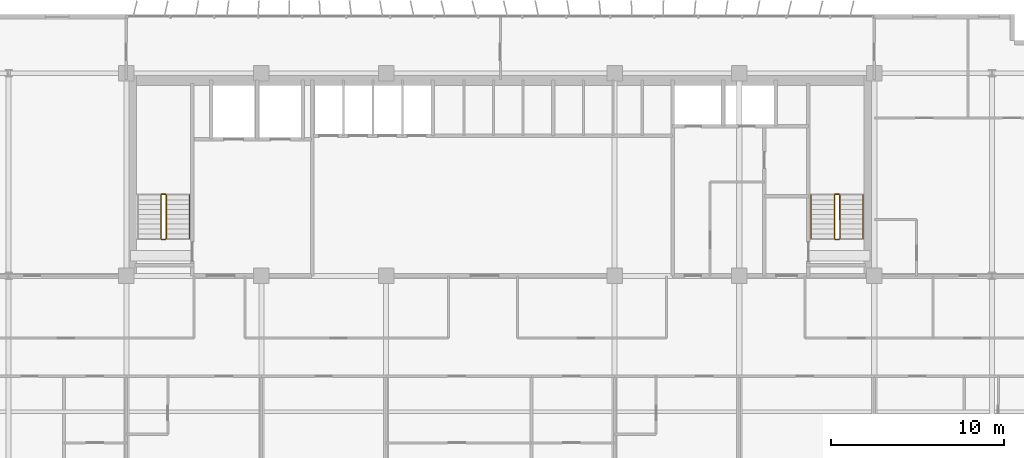
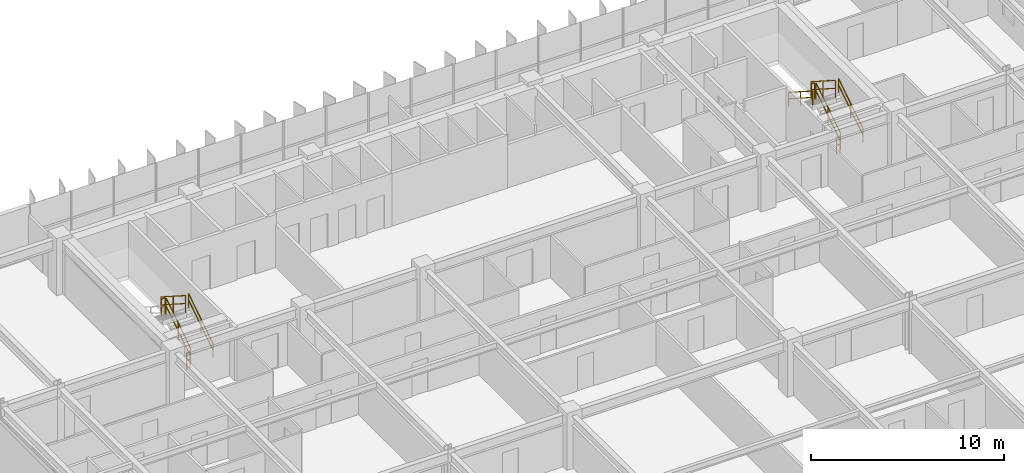
# One storey, part 21 of 22: 11 railings.
"""IFC4 building model written with IfcOpenShell, lengths in metres."""

import ifcopenshell
import ifcopenshell.guid

model = None  # the IFC model being written
_history = None  # IfcOwnerHistory: only IFC2X3 demands one
_inside = {}  # id of a spatial element -> (the spatial element, [elements in it])
_under = {}  # id of a project, library or spatial element -> (it, [spatial elements below it])
_declared = {}  # id of a project -> (the project, [libraries it declares])
_typed = {}  # id of a type object -> (the type object, [elements of that type])
_made_of = {}  # id of a material, layer set ... -> (it, [elements and type objects made of it])


def new_model(schema):
    """Start an empty IFC model of exactly this schema.

    Asked for "IFC4X3", IfcOpenShell would pick the latest addendum, in which some entities
    have other attributes; the version numbers below select the first issue.
    IFC2X3 requires an IfcOwnerHistory on every rooted entity: one is made here for all.
    """
    global model, _history
    if schema == "IFC4X3":
        model = ifcopenshell.file(schema_version=(4, 3, 0, 0))
    else:
        model = ifcopenshell.file(schema=schema)
    _inside.clear()
    _under.clear()
    _declared.clear()
    _typed.clear()
    _made_of.clear()
    _history = None
    if model.schema == "IFC2X3":
        org = make("IfcOrganization", Name="unknown")
        user = make(
            "IfcPersonAndOrganization",
            ThePerson=make("IfcPerson", FamilyName="unknown"),
            TheOrganization=org,
        )
        app = make(
            "IfcApplication",
            ApplicationDeveloper=org,
            Version="unknown",
            ApplicationFullName="unknown",
            ApplicationIdentifier="unknown",
        )
        _history = make(
            "IfcOwnerHistory",
            OwningUser=user,
            OwningApplication=app,
            ChangeAction="ADDED",
            CreationDate=0,
        )
    return model


def make(cls, **values):
    """One entity of the class cls with the attributes given. An attribute that is None is left unset."""
    return model.create_entity(
        cls, **{name: value for name, value in values.items() if value is not None}
    )


def rooted(cls, **values):
    """An entity with a GlobalId (a new one), such as an element, a storey or a relation."""
    return make(cls, GlobalId=ifcopenshell.guid.new(), OwnerHistory=_history, **values)


def si_unit(unit_type, name, prefix=None):
    """IfcSIUnit, for example si_unit("LENGTHUNIT", "METRE", prefix="MILLI")."""
    return make("IfcSIUnit", UnitType=unit_type, Prefix=prefix, Name=name)


def assignment(units):
    """IfcUnitAssignment: the units of a project."""
    return None if units is None else make("IfcUnitAssignment", Units=units)


def point(xyz):
    """IfcCartesianPoint."""
    return None if xyz is None else make("IfcCartesianPoint", Coordinates=xyz)


def direction(xyz):
    """IfcDirection."""
    return None if xyz is None else make("IfcDirection", DirectionRatios=xyz)


def frame(location, z_axis=None, x_axis=None):
    """IfcAxis2Placement3D, a coordinate frame: its origin and axes. An axis left out is left unset."""
    return make(
        "IfcAxis2Placement3D",
        Location=point(location),
        Axis=direction(z_axis),
        RefDirection=direction(x_axis),
    )


def frame_2d(location, x_axis=None):
    """IfcAxis2Placement2D, a coordinate frame in the plane: its origin and x axis."""
    return make(
        "IfcAxis2Placement2D", Location=point(location), RefDirection=direction(x_axis)
    )


def origin():
    """The frame at (0, 0, 0) with its axes left unset."""
    return frame((0.0, 0.0, 0.0))


def origin_2d():
    """The frame at (0, 0) in the plane with its x axis left unset."""
    return frame_2d((0.0, 0.0))


def place(relative_to, where):
    """IfcLocalPlacement: puts the frame where relative to a parent placement (None: the world)."""
    return make(
        "IfcLocalPlacement", PlacementRelTo=relative_to, RelativePlacement=where
    )


def context(
    kind, dimensions, precision=None, world=None, true_north=None, identifier=None
):
    """IfcGeometricRepresentationContext, for example the 3D "Model" context."""
    return make(
        "IfcGeometricRepresentationContext",
        ContextIdentifier=identifier,
        ContextType=kind,
        CoordinateSpaceDimension=dimensions,
        Precision=precision,
        WorldCoordinateSystem=world,
        TrueNorth=true_north,
    )


def subcontext(parent, identifier, kind, view, scale=None):
    """IfcGeometricRepresentationSubContext, for example "Body" below "Model"."""
    return make(
        "IfcGeometricRepresentationSubContext",
        ContextIdentifier=identifier,
        ContextType=kind,
        ParentContext=parent,
        TargetScale=scale,
        TargetView=view,
    )


def project(units=None, contexts=None):
    """IfcProject with its units and contexts."""
    return rooted(
        "IfcProject",
        Name="project",
        RepresentationContexts=contexts,
        UnitsInContext=assignment(units),
    )


def spatial(cls, under=None, at=None, **own):
    """A site, building, storey or space (cls), placed at a placement, below another one or the project."""
    s = rooted(cls, ObjectPlacement=at, **own)
    if under is not None:
        _under.setdefault(under.id(), (under, []))[1].append(s)
    return s


def profile(cls, at=None, kind="AREA", **sizes):
    """A parametric profile (cls). Its sizes go by their IFC names, for example OverallWidth=200.0."""
    return make(cls, ProfileType=kind, Position=at, **sizes)


def rectangle(**sizes):
    """IfcRectangleProfileDef."""
    return profile("IfcRectangleProfileDef", **sizes)


def extrude(swept, where, along, depth):
    """IfcExtrudedAreaSolid: the profile swept, set in the frame where, extruded along a direction by depth."""
    return make(
        "IfcExtrudedAreaSolid",
        SweptArea=swept,
        Position=where,
        ExtrudedDirection=direction(along),
        Depth=depth,
    )


def shape(context_of_items, identifier, shape_type, items):
    """IfcShapeRepresentation: the items that make up one representation, for example the "Body"."""
    return make(
        "IfcShapeRepresentation",
        ContextOfItems=context_of_items,
        RepresentationIdentifier=identifier,
        RepresentationType=shape_type,
        Items=items,
    )


def material(Name=None, Category=None):
    """IfcMaterial."""
    return make("IfcMaterial", Name=Name, Category=Category)


def made_of(thing, what):
    """Note that an element or type object is made of a material, layer set ...; save() writes the relation."""
    if what is not None:
        _made_of.setdefault(what.id(), (what, []))[1].append(thing)
    return thing


def type_object(cls, material=None, **own):
    """A type object (cls), such as IfcWallType, which elements share."""
    return made_of(rooted(cls, **own), material)


def element(
    cls,
    number,
    at=None,
    inside=None,
    cuts=None,
    type_object=None,
    material=None,
    context=None,
    identifier="Body",
    shape_type=None,
    held_by="IfcProductDefinitionShape",
    body=None,
    shapes=None,
    **own,
):
    """One element of the class cls, such as IfcWall. Its Tag is "e" and its number.

    at: its placement. inside: the storey or other place that contains it. cuts: it is an
    opening in that element (IfcRelVoidsElement). A single representation is given by context,
    identifier, shape_type and body (its items); several are given by shapes. held_by: the class
    of the entity that holds the representations. save() writes the other relations.
    """
    e = rooted(cls, Tag="e%d" % number, ObjectPlacement=at, **own)
    if body is not None:
        shapes = [shape(context, identifier, shape_type, body)]
    if shapes is not None:
        e.Representation = make(held_by, Representations=shapes)
    if inside is not None:
        _inside.setdefault(inside.id(), (inside, []))[1].append(e)
    if cuts is not None:
        rooted(
            "IfcRelVoidsElement", RelatingBuildingElement=cuts, RelatedOpeningElement=e
        )
    if type_object is not None:
        _typed.setdefault(type_object.id(), (type_object, []))[1].append(e)
    return made_of(e, material)


def aggregate(whole, parts):
    """IfcRelAggregates: a whole, such as a stair, and the parts it consists of."""
    return rooted("IfcRelAggregates", RelatingObject=whole, RelatedObjects=parts)


def save(model, path):
    """Write the relations noted so far, then the file.

    IfcRelAggregates (storeys below a building ...), IfcRelContainedInSpatialStructure (elements
    in a storey), IfcRelDefinesByType, IfcRelAssociatesMaterial and IfcRelDeclares: one each for
    every whole, place, type object, material and project.
    """
    for whole, parts in _under.values():
        aggregate(whole, parts)
    for where, things in _inside.values():
        rooted(
            "IfcRelContainedInSpatialStructure",
            RelatedElements=things,
            RelatingStructure=where,
        )
    for kind, things in _typed.values():
        rooted("IfcRelDefinesByType", RelatedObjects=things, RelatingType=kind)
    for what, things in _made_of.values():
        rooted("IfcRelAssociatesMaterial", RelatedObjects=things, RelatingMaterial=what)
    for by, libraries in _declared.values():
        rooted("IfcRelDeclares", RelatingContext=by, RelatedDefinitions=libraries)
    model.write(path)


model = new_model("IFC4")

# Units and contexts
model_context = context("Model", 3, precision=1e-05, world=origin(), true_north=direction((0.0, 1.0)))
body_context = subcontext(model_context, "Body", "Model", "MODEL_VIEW")
ifc_project = project(units=[si_unit("LENGTHUNIT", "METRE"), si_unit("AREAUNIT", "SQUARE_METRE"), si_unit("VOLUMEUNIT", "CUBIC_METRE"), si_unit("PLANEANGLEUNIT", "RADIAN"), si_unit("MASSUNIT", "GRAM", prefix="KILO")], contexts=[model_context])

# Site, building, storey
site_placement = place(None, origin())
site = spatial("IfcSite", under=ifc_project, at=site_placement, CompositionType="ELEMENT")
building_placement = place(site_placement, origin())
building = spatial("IfcBuilding", under=site, at=building_placement, Name="Trelvane Seafront Commons", CompositionType="ELEMENT")
storey_placement = place(building_placement, frame((0.0, 0.0, 52.300048828125)))
storey = spatial("IfcBuildingStorey", under=building, at=storey_placement, Name="L13", CompositionType="ELEMENT", Elevation=52.300048828125)

# Railings
ifc_material = material(Name="Stainless steel balustrade", Category="steel")
railing_type_1 = type_object("IfcRailingType", Name="ARCH-SRL-GUARD", PredefinedType="GUARDRAIL", material=ifc_material)
railing_1_placement = place(storey_placement, frame((17.89990234375, 35.550048828125, 0.179931640625)))
element("IfcRailing", 1, at=railing_1_placement, inside=storey, type_object=railing_type_1, Name="L13 ST-1 stair guard 1", PredefinedType="GUARDRAIL", context=body_context, shape_type="SweptSolid", body=[
    extrude(rectangle(XDim=0.048095703125, YDim=0.048095703125, at=origin_2d()), frame((0.0, 0.0, 1.076171875), z_axis=(0.0, 0.841162588446, 0.540782303519), x_axis=(-1.0, 0.0, 0.0)), (0.0, 0.0, 1.0), 2.995849609375),
    extrude(rectangle(XDim=0.048095703125, YDim=0.048095703125, at=origin_2d()), frame((0.0, 0.0, 0.572021484375), z_axis=(0.0, 0.841162588446, 0.540782303519), x_axis=(-1.0, 0.0, 0.0)), (0.0, 0.0, 1.0), 2.995849609375),
    extrude(rectangle(XDim=0.0419921875, YDim=0.0419921875, at=origin_2d()), origin(), (0.0, 0.0, 1.0), 1.076171875),
    extrude(rectangle(XDim=0.0419921875, YDim=0.0419921875, at=origin_2d()), frame((0.0, 1.260009765625, 0.81005859375)), (0.0, 0.0, 1.0), 1.076171875),
    extrude(rectangle(XDim=0.0419921875, YDim=0.0419921875, at=origin_2d()), frame((0.0, 2.52001953125, 1.6201171875)), (0.0, 0.0, 1.0), 1.076171875),
])
railing_2_placement = place(storey_placement, frame((17.85009765625, 38.1201171875, 1.800048828125)))
element("IfcRailing", 2, at=railing_2_placement, inside=storey, type_object=railing_type_1, Name="L13 ST-1 stair guard 2", PredefinedType="GUARDRAIL", context=body_context, shape_type="SweptSolid", body=[
    extrude(rectangle(XDim=0.048095703125, YDim=0.048095703125, at=origin_2d()), frame((0.0, 0.0, 1.076171875), z_axis=(-1.0, 0.0, 0.0), x_axis=(0.0, -1.0, 0.0)), (0.0, 0.0, 1.0), 0.2001953125),
    extrude(rectangle(XDim=0.048095703125, YDim=0.048095703125, at=origin_2d()), frame((0.0, 0.0, 0.572021484375), z_axis=(-1.0, 0.0, 0.0), x_axis=(0.0, -1.0, 0.0)), (0.0, 0.0, 1.0), 0.2001953125),
    extrude(rectangle(XDim=0.0419921875, YDim=0.0419921875, at=origin_2d()), origin(), (0.0, 0.0, 1.0), 1.076171875),
    extrude(rectangle(XDim=0.0419921875, YDim=0.0419921875, at=origin_2d()), frame((-0.2001953125, 0.0, 0.0)), (0.0, 0.0, 1.0), 1.076171875),
])
railing_3_placement = place(storey_placement, frame((17.60009765625, 38.070068359375, 1.97998046875)))
element("IfcRailing", 3, at=railing_3_placement, inside=storey, type_object=railing_type_1, Name="L13 ST-1 stair guard 3", PredefinedType="GUARDRAIL", context=body_context, shape_type="SweptSolid", body=[
    extrude(rectangle(XDim=0.048095703125, YDim=0.048095703125, at=origin_2d()), frame((0.0, 0.0, 1.076171875), z_axis=(0.0, -0.841199657755, 0.540724639528), x_axis=(1.0, 0.0, 0.0)), (0.0, 0.0, 1.0), 2.995849609375),
    extrude(rectangle(XDim=0.048095703125, YDim=0.048095703125, at=origin_2d()), frame((0.0, 0.0, 0.572021484375), z_axis=(0.0, -0.841199657755, 0.540724639528), x_axis=(1.0, 0.0, 0.0)), (0.0, 0.0, 1.0), 2.995849609375),
    extrude(rectangle(XDim=0.0419921875, YDim=0.0419921875, at=origin_2d()), origin(), (0.0, 0.0, 1.0), 1.076171875),
    extrude(rectangle(XDim=0.0419921875, YDim=0.0419921875, at=origin_2d()), frame((0.0, -1.260009765625, 0.81005859375)), (0.0, 0.0, 1.0), 1.076171875),
    extrude(rectangle(XDim=0.0419921875, YDim=0.0419921875, at=origin_2d()), frame((0.0, -2.52001953125, 1.619873046875)), (0.0, 0.0, 1.0), 1.076171875),
])
railing_4_placement = place(storey_placement, frame((17.85009765625, 35.5, 0.0)))
element("IfcRailing", 4, at=railing_4_placement, inside=storey, type_object=railing_type_1, Name="L13 ST-1 stair guard 4", PredefinedType="GUARDRAIL", context=body_context, shape_type="SweptSolid", body=[
    extrude(rectangle(XDim=0.048095703125, YDim=0.048095703125, at=origin_2d()), frame((0.0, 0.0, 1.076171875), z_axis=(-1.0, 0.0, 0.0), x_axis=(0.0, -1.0, 0.0)), (0.0, 0.0, 1.0), 0.2001953125),
    extrude(rectangle(XDim=0.048095703125, YDim=0.048095703125, at=origin_2d()), frame((0.0, 0.0, 0.572021484375), z_axis=(-1.0, 0.0, 0.0), x_axis=(0.0, -1.0, 0.0)), (0.0, 0.0, 1.0), 0.2001953125),
    extrude(rectangle(XDim=0.0419921875, YDim=0.0419921875, at=origin_2d()), origin(), (0.0, 0.0, 1.0), 1.076171875),
    extrude(rectangle(XDim=0.0419921875, YDim=0.0419921875, at=origin_2d()), frame((-0.2001953125, 0.0, 0.0)), (0.0, 0.0, 1.0), 1.076171875),
])
railing_5_placement = place(storey_placement, frame((56.800048828125, 35.550048828125, 0.179931640625)))
element("IfcRailing", 5, at=railing_5_placement, inside=storey, type_object=railing_type_1, Name="L13 ST-2 stair guard 1", PredefinedType="GUARDRAIL", context=body_context, shape_type="SweptSolid", body=[
    extrude(rectangle(XDim=0.048095703125, YDim=0.048095703125, at=origin_2d()), frame((0.0, 0.0, 1.076171875), z_axis=(0.0, 0.841162588446, 0.540782303519), x_axis=(-1.0, 0.0, 0.0)), (0.0, 0.0, 1.0), 2.995849609375),
    extrude(rectangle(XDim=0.048095703125, YDim=0.048095703125, at=origin_2d()), frame((0.0, 0.0, 0.572021484375), z_axis=(0.0, 0.841162588446, 0.540782303519), x_axis=(-1.0, 0.0, 0.0)), (0.0, 0.0, 1.0), 2.995849609375),
    extrude(rectangle(XDim=0.0419921875, YDim=0.0419921875, at=origin_2d()), origin(), (0.0, 0.0, 1.0), 1.076171875),
    extrude(rectangle(XDim=0.0419921875, YDim=0.0419921875, at=origin_2d()), frame((0.0, 1.260009765625, 0.81005859375)), (0.0, 0.0, 1.0), 1.076171875),
    extrude(rectangle(XDim=0.0419921875, YDim=0.0419921875, at=origin_2d()), frame((0.0, 2.52001953125, 1.6201171875)), (0.0, 0.0, 1.0), 1.076171875),
])
railing_6_placement = place(storey_placement, frame((56.75, 38.1201171875, 1.800048828125)))
element("IfcRailing", 6, at=railing_6_placement, inside=storey, type_object=railing_type_1, Name="L13 ST-2 stair guard 2", PredefinedType="GUARDRAIL", context=body_context, shape_type="SweptSolid", body=[
    extrude(rectangle(XDim=0.048095703125, YDim=0.048095703125, at=origin_2d()), frame((0.0, 0.0, 1.076171875), z_axis=(-1.0, 0.0, 0.0), x_axis=(0.0, -1.0, 0.0)), (0.0, 0.0, 1.0), 0.199951171875),
    extrude(rectangle(XDim=0.048095703125, YDim=0.048095703125, at=origin_2d()), frame((0.0, 0.0, 0.572021484375), z_axis=(-1.0, 0.0, 0.0), x_axis=(0.0, -1.0, 0.0)), (0.0, 0.0, 1.0), 0.199951171875),
    extrude(rectangle(XDim=0.0419921875, YDim=0.0419921875, at=origin_2d()), origin(), (0.0, 0.0, 1.0), 1.076171875),
    extrude(rectangle(XDim=0.0419921875, YDim=0.0419921875, at=origin_2d()), frame((-0.199951171875, 0.0, 0.0)), (0.0, 0.0, 1.0), 1.076171875),
])
railing_7_placement = place(storey_placement, frame((56.5, 38.070068359375, 1.97998046875)))
element("IfcRailing", 7, at=railing_7_placement, inside=storey, type_object=railing_type_1, Name="L13 ST-2 stair guard 3", PredefinedType="GUARDRAIL", context=body_context, shape_type="SweptSolid", body=[
    extrude(rectangle(XDim=0.048095703125, YDim=0.048095703125, at=origin_2d()), frame((0.0, 0.0, 1.076171875), z_axis=(0.0, -0.841199657755, 0.540724639528), x_axis=(1.0, 0.0, 0.0)), (0.0, 0.0, 1.0), 2.995849609375),
    extrude(rectangle(XDim=0.048095703125, YDim=0.048095703125, at=origin_2d()), frame((0.0, 0.0, 0.572021484375), z_axis=(0.0, -0.841199657755, 0.540724639528), x_axis=(1.0, 0.0, 0.0)), (0.0, 0.0, 1.0), 2.995849609375),
    extrude(rectangle(XDim=0.0419921875, YDim=0.0419921875, at=origin_2d()), origin(), (0.0, 0.0, 1.0), 1.076171875),
    extrude(rectangle(XDim=0.0419921875, YDim=0.0419921875, at=origin_2d()), frame((0.0, -1.260009765625, 0.81005859375)), (0.0, 0.0, 1.0), 1.076171875),
    extrude(rectangle(XDim=0.0419921875, YDim=0.0419921875, at=origin_2d()), frame((0.0, -2.52001953125, 1.619873046875)), (0.0, 0.0, 1.0), 1.076171875),
])
railing_8_placement = place(storey_placement, frame((56.75, 35.5, 0.0)))
element("IfcRailing", 8, at=railing_8_placement, inside=storey, type_object=railing_type_1, Name="L13 ST-2 stair guard 4", PredefinedType="GUARDRAIL", context=body_context, shape_type="SweptSolid", body=[
    extrude(rectangle(XDim=0.048095703125, YDim=0.048095703125, at=origin_2d()), frame((0.0, 0.0, 1.076171875), z_axis=(-1.0, 0.0, 0.0), x_axis=(0.0, -1.0, 0.0)), (0.0, 0.0, 1.0), 0.199951171875),
    extrude(rectangle(XDim=0.048095703125, YDim=0.048095703125, at=origin_2d()), frame((0.0, 0.0, 0.572021484375), z_axis=(-1.0, 0.0, 0.0), x_axis=(0.0, -1.0, 0.0)), (0.0, 0.0, 1.0), 0.199951171875),
    extrude(rectangle(XDim=0.0419921875, YDim=0.0419921875, at=origin_2d()), origin(), (0.0, 0.0, 1.0), 1.076171875),
    extrude(rectangle(XDim=0.0419921875, YDim=0.0419921875, at=origin_2d()), frame((-0.199951171875, 0.0, 0.0)), (0.0, 0.0, 1.0), 1.076171875),
])
railing_type_2 = type_object("IfcRailingType", Name="ARCH-SRL-HAND", PredefinedType="HANDRAIL", material=ifc_material)
for number, where, name in (
    (9, (19.25, 35.550048828125, 0.179931640625), "L13 ST-1 stair handrail 1"),
    (10, (58.14990234375, 35.550048828125, 0.179931640625), "L13 ST-2 stair handrail 1"),
):
    element("IfcRailing", number, at=place(storey_placement, frame(where)), inside=storey, type_object=railing_type_2, Name=name, PredefinedType="HANDRAIL", context=body_context, shape_type="SweptSolid", body=[
        extrude(rectangle(XDim=0.048095703125, YDim=0.048095703125, at=origin_2d()), frame((0.0, 0.0, 0.8759765625), z_axis=(0.0, 0.841162588446, 0.540782303519), x_axis=(-1.0, 0.0, 0.0)), (0.0, 0.0, 1.0), 2.995849609375),
        extrude(rectangle(XDim=0.048095703125, YDim=0.048095703125, at=origin_2d()), frame((0.0, 0.0, 0.468017578125), z_axis=(0.0, 0.841162588446, 0.540782303519), x_axis=(-1.0, 0.0, 0.0)), (0.0, 0.0, 1.0), 2.995849609375),
        extrude(rectangle(XDim=0.0419921875, YDim=0.0419921875, at=origin_2d()), origin(), (0.0, 0.0, 1.0), 0.8759765625),
        extrude(rectangle(XDim=0.0419921875, YDim=0.0419921875, at=origin_2d()), frame((0.0, 1.260009765625, 0.81005859375)), (0.0, 0.0, 1.0), 0.8759765625),
        extrude(rectangle(XDim=0.0419921875, YDim=0.0419921875, at=origin_2d()), frame((0.0, 2.52001953125, 1.6201171875)), (0.0, 0.0, 1.0), 0.8759765625),
    ])
railing_9_placement = place(storey_placement, frame((55.14990234375, 38.070068359375, 1.97998046875)))
element("IfcRailing", 11, at=railing_9_placement, inside=storey, type_object=railing_type_2, Name="L13 ST-2 stair handrail 2", PredefinedType="HANDRAIL", context=body_context, shape_type="SweptSolid", body=[
    extrude(rectangle(XDim=0.048095703125, YDim=0.048095703125, at=origin_2d()), frame((0.0, 0.0, 0.8759765625), z_axis=(0.0, -0.841199657755, 0.540724639528), x_axis=(1.0, 0.0, 0.0)), (0.0, 0.0, 1.0), 2.995849609375),
    extrude(rectangle(XDim=0.048095703125, YDim=0.048095703125, at=origin_2d()), frame((0.0, 0.0, 0.468017578125), z_axis=(0.0, -0.841199657755, 0.540724639528), x_axis=(1.0, 0.0, 0.0)), (0.0, 0.0, 1.0), 2.995849609375),
    extrude(rectangle(XDim=0.0419921875, YDim=0.0419921875, at=origin_2d()), origin(), (0.0, 0.0, 1.0), 0.8759765625),
    extrude(rectangle(XDim=0.0419921875, YDim=0.0419921875, at=origin_2d()), frame((0.0, -1.260009765625, 0.81005859375)), (0.0, 0.0, 1.0), 0.8759765625),
    extrude(rectangle(XDim=0.0419921875, YDim=0.0419921875, at=origin_2d()), frame((0.0, -2.52001953125, 1.619873046875)), (0.0, 0.0, 1.0), 0.8759765625),
])

save(model, "model.ifc")
